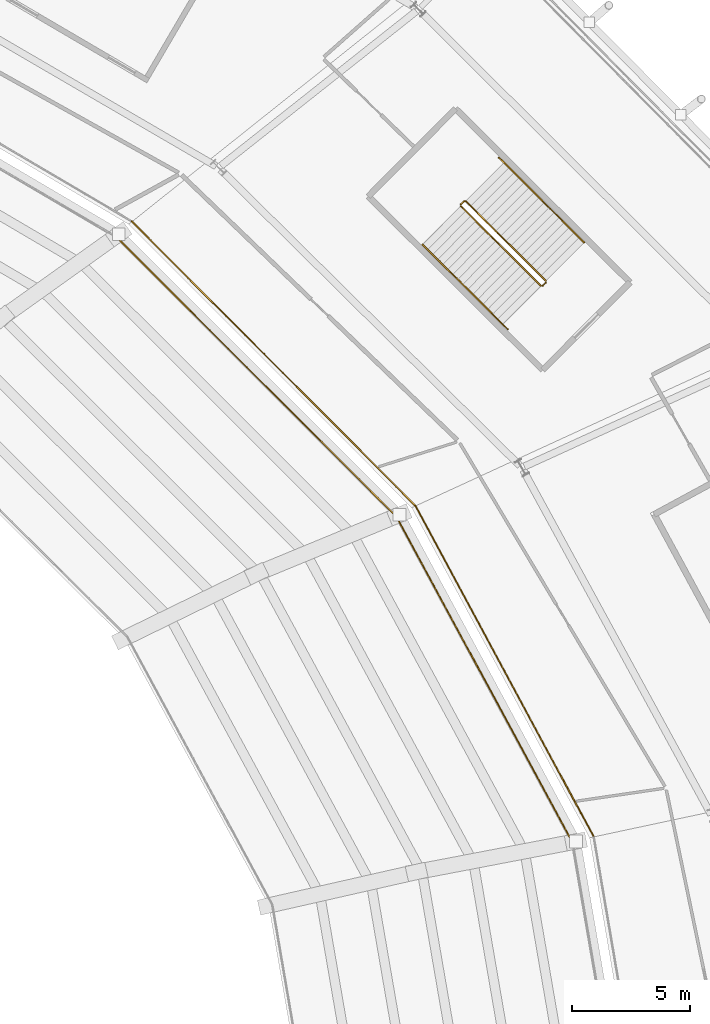
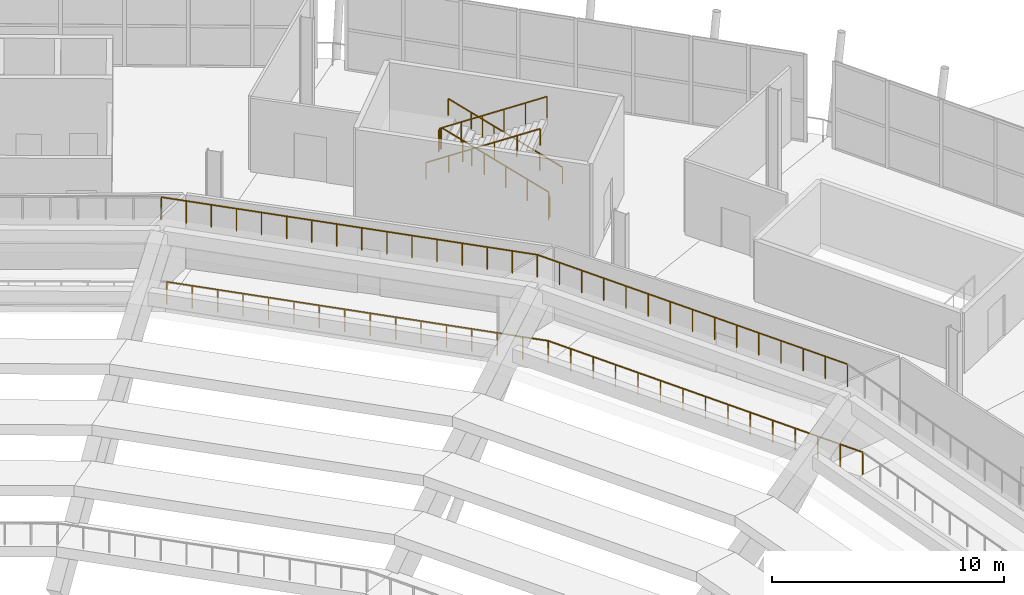
# One storey, part 121 of 126: 10 railings.
"""IFC4 building model written with IfcOpenShell, lengths in metres."""

from ifc_helpers import new_model, si_unit, direction, frame, origin, origin_2d, place, context, subcontext, project, spatial, rectangle, extrude, material, type_object, element, save


model = new_model("IFC4")

# Units and contexts
model_context = context("Model", 3, precision=1e-05, world=origin(), true_north=direction((0.0, 1.0)))
body_context = subcontext(model_context, "Body", "Model", "MODEL_VIEW")
ifc_project = project(units=[si_unit("LENGTHUNIT", "METRE"), si_unit("AREAUNIT", "SQUARE_METRE"), si_unit("VOLUMEUNIT", "CUBIC_METRE"), si_unit("PLANEANGLEUNIT", "RADIAN"), si_unit("MASSUNIT", "GRAM", prefix="KILO")], contexts=[model_context])

# Site, building, storey
site_placement = place(None, origin())
site = spatial("IfcSite", under=ifc_project, at=site_placement, CompositionType="ELEMENT")
building_placement = place(site_placement, origin())
building = spatial("IfcBuilding", under=site, at=building_placement, Name="Zlatoyarsky Gate Stadium", CompositionType="ELEMENT")
storey_placement = place(building_placement, frame((0.0, 0.0, 20.800048828125)))
storey = spatial("IfcBuildingStorey", under=building, at=storey_placement, Name="L04", CompositionType="ELEMENT", Elevation=20.800048828125)

# Railings
ifc_material_1 = material(Name="Powder-coated steel tubular guardrail", Category="steel")
railing_type_1 = type_object("IfcRailingType", Name="CONCOURSE SLAB EDGE GUARDRAIL 1200", PredefinedType="GUARDRAIL", material=ifc_material_1)
railing_1_placement = place(storey_placement, frame((183.299560546875, 94.84326171875, 5.099853515625)))
element("IfcRailing", 1, at=railing_1_placement, inside=storey, type_object=railing_type_1, Name="Upper bowl back guardrail 01", PredefinedType="GUARDRAIL", context=body_context, shape_type="SweptSolid", body=[
    extrude(rectangle(XDim=0.048095703125, YDim=0.048095703125, at=origin_2d()), frame((0.0, 0.0, 1.17578125), z_axis=(-0.475561201038, 0.879682638266, 0.0), x_axis=(-0.879682638266, -0.475561201038, 0.0)), (0.0, 0.0, 1.0), 15.7236328125),
    extrude(rectangle(XDim=0.0419921875, YDim=0.0419921875, at=origin_2d()), origin(), (0.0, 0.0, 1.0), 1.15185546875),
    extrude(rectangle(XDim=0.0419921875, YDim=0.0419921875, at=origin_2d()), frame((-0.5341796875, 0.988037109375, 0.0)), (0.0, 0.0, 1.0), 1.15185546875),
    extrude(rectangle(XDim=0.0419921875, YDim=0.0419921875, at=origin_2d()), frame((-1.068115234375, 1.97607421875, 0.0)), (0.0, 0.0, 1.0), 1.15185546875),
    extrude(rectangle(XDim=0.0419921875, YDim=0.0419921875, at=origin_2d()), frame((-1.602294921875, 2.9638671875, 0.0)), (0.0, 0.0, 1.0), 1.15185546875),
    extrude(rectangle(XDim=0.0419921875, YDim=0.0419921875, at=origin_2d()), frame((-2.136474609375, 3.951904296875, 0.0)), (0.0, 0.0, 1.0), 1.15185546875),
    extrude(rectangle(XDim=0.0419921875, YDim=0.0419921875, at=origin_2d()), frame((-2.670654296875, 4.93994140625, 0.0)), (0.0, 0.0, 1.0), 1.15185546875),
    extrude(rectangle(XDim=0.0419921875, YDim=0.0419921875, at=origin_2d()), frame((-3.20458984375, 5.927978515625, 0.0)), (0.0, 0.0, 1.0), 1.15185546875),
    extrude(rectangle(XDim=0.0419921875, YDim=0.0419921875, at=origin_2d()), frame((-3.73876953125, 6.916015625, 0.0)), (0.0, 0.0, 1.0), 1.15185546875),
    extrude(rectangle(XDim=0.0419921875, YDim=0.0419921875, at=origin_2d()), frame((-4.27294921875, 7.90380859375, 0.0)), (0.0, 0.0, 1.0), 1.15185546875),
    extrude(rectangle(XDim=0.0419921875, YDim=0.0419921875, at=origin_2d()), frame((-4.806884765625, 8.891845703125, 0.0)), (0.0, 0.0, 1.0), 1.15185546875),
    extrude(rectangle(XDim=0.0419921875, YDim=0.0419921875, at=origin_2d()), frame((-5.341064453125, 9.8798828125, 0.0)), (0.0, 0.0, 1.0), 1.15185546875),
    extrude(rectangle(XDim=0.0419921875, YDim=0.0419921875, at=origin_2d()), frame((-5.875244140625, 10.867919921875, 0.0)), (0.0, 0.0, 1.0), 1.15185546875),
    extrude(rectangle(XDim=0.0419921875, YDim=0.0419921875, at=origin_2d()), frame((-6.409423828125, 11.855712890625, 0.0)), (0.0, 0.0, 1.0), 1.15185546875),
    extrude(rectangle(XDim=0.0419921875, YDim=0.0419921875, at=origin_2d()), frame((-6.943359375, 12.84375, 0.0)), (0.0, 0.0, 1.0), 1.15185546875),
    extrude(rectangle(XDim=0.0419921875, YDim=0.0419921875, at=origin_2d()), frame((-7.4775390625, 13.831787109375, 0.0)), (0.0, 0.0, 1.0), 1.15185546875),
])
railing_2_placement = place(storey_placement, frame((184.197998046875, 95.083984375, 0.0)))
element("IfcRailing", 2, at=railing_2_placement, inside=storey, type_object=railing_type_1, Name="L04 inner bowl edge guardrail 01", PredefinedType="GUARDRAIL", context=body_context, shape_type="SweptSolid", body=[
    extrude(rectangle(XDim=0.048095703125, YDim=0.048095703125, at=origin_2d()), frame((0.0, 0.0, 1.17578125), z_axis=(-0.474196483851, 0.880419044946, 0.0), x_axis=(-0.880419044946, -0.474196483851, 0.0)), (0.0, 0.0, 1.0), 15.965087890625),
    extrude(rectangle(XDim=0.0419921875, YDim=0.0419921875, at=origin_2d()), origin(), (0.0, 0.0, 1.0), 1.15185546875),
    extrude(rectangle(XDim=0.0419921875, YDim=0.0419921875, at=origin_2d()), frame((-0.540771484375, 1.00390625, 0.0)), (0.0, 0.0, 1.0), 1.15185546875),
    extrude(rectangle(XDim=0.0419921875, YDim=0.0419921875, at=origin_2d()), frame((-1.08154296875, 2.008056640625, 0.0)), (0.0, 0.0, 1.0), 1.15185546875),
    extrude(rectangle(XDim=0.0419921875, YDim=0.0419921875, at=origin_2d()), frame((-1.622314453125, 3.011962890625, 0.0)), (0.0, 0.0, 1.0), 1.15185546875),
    extrude(rectangle(XDim=0.0419921875, YDim=0.0419921875, at=origin_2d()), frame((-2.1630859375, 4.015869140625, 0.0)), (0.0, 0.0, 1.0), 1.15185546875),
    extrude(rectangle(XDim=0.0419921875, YDim=0.0419921875, at=origin_2d()), frame((-2.703857421875, 5.02001953125, 0.0)), (0.0, 0.0, 1.0), 1.15185546875),
    extrude(rectangle(XDim=0.0419921875, YDim=0.0419921875, at=origin_2d()), frame((-3.24462890625, 6.02392578125, 0.0)), (0.0, 0.0, 1.0), 1.15185546875),
    extrude(rectangle(XDim=0.0419921875, YDim=0.0419921875, at=origin_2d()), frame((-3.78515625, 7.02783203125, 0.0)), (0.0, 0.0, 1.0), 1.15185546875),
    extrude(rectangle(XDim=0.0419921875, YDim=0.0419921875, at=origin_2d()), frame((-4.325927734375, 8.031982421875, 0.0)), (0.0, 0.0, 1.0), 1.15185546875),
    extrude(rectangle(XDim=0.0419921875, YDim=0.0419921875, at=origin_2d()), frame((-4.86669921875, 9.035888671875, 0.0)), (0.0, 0.0, 1.0), 1.15185546875),
    extrude(rectangle(XDim=0.0419921875, YDim=0.0419921875, at=origin_2d()), frame((-5.407470703125, 10.0400390625, 0.0)), (0.0, 0.0, 1.0), 1.15185546875),
    extrude(rectangle(XDim=0.0419921875, YDim=0.0419921875, at=origin_2d()), frame((-5.9482421875, 11.0439453125, 0.0)), (0.0, 0.0, 1.0), 1.15185546875),
    extrude(rectangle(XDim=0.0419921875, YDim=0.0419921875, at=origin_2d()), frame((-6.489013671875, 12.0478515625, 0.0)), (0.0, 0.0, 1.0), 1.15185546875),
    extrude(rectangle(XDim=0.0419921875, YDim=0.0419921875, at=origin_2d()), frame((-7.02978515625, 13.052001953125, 0.0)), (0.0, 0.0, 1.0), 1.15185546875),
    extrude(rectangle(XDim=0.0419921875, YDim=0.0419921875, at=origin_2d()), frame((-7.570556640625, 14.055908203125, 0.0)), (0.0, 0.0, 1.0), 1.15185546875),
])
railing_3_placement = place(storey_placement, frame((175.822021484375, 108.675048828125, 5.099853515625)))
element("IfcRailing", 3, at=railing_3_placement, inside=storey, type_object=railing_type_1, Name="Upper bowl back guardrail 02", PredefinedType="GUARDRAIL", context=body_context, shape_type="SweptSolid", body=[
    extrude(rectangle(XDim=0.048095703125, YDim=0.048095703125, at=origin_2d()), frame((0.0, 0.0, 1.17578125), z_axis=(-0.707629445314, 0.706583730441, 0.0), x_axis=(-0.706583730441, -0.707629445314, 0.0)), (0.0, 0.0, 1.0), 16.8095703125),
    extrude(rectangle(XDim=0.0419921875, YDim=0.0419921875, at=origin_2d()), origin(), (0.0, 0.0, 1.0), 1.15185546875),
    extrude(rectangle(XDim=0.0419921875, YDim=0.0419921875, at=origin_2d()), frame((-0.79296875, 0.791748046875, 0.0)), (0.0, 0.0, 1.0), 1.15185546875),
    extrude(rectangle(XDim=0.0419921875, YDim=0.0419921875, at=origin_2d()), frame((-1.5859375, 1.583740234375, 0.0)), (0.0, 0.0, 1.0), 1.15185546875),
    extrude(rectangle(XDim=0.0419921875, YDim=0.0419921875, at=origin_2d()), frame((-2.37890625, 2.37548828125, 0.0)), (0.0, 0.0, 1.0), 1.15185546875),
    extrude(rectangle(XDim=0.0419921875, YDim=0.0419921875, at=origin_2d()), frame((-3.172119140625, 3.167236328125, 0.0)), (0.0, 0.0, 1.0), 1.15185546875),
    extrude(rectangle(XDim=0.0419921875, YDim=0.0419921875, at=origin_2d()), frame((-3.965087890625, 3.959228515625, 0.0)), (0.0, 0.0, 1.0), 1.15185546875),
    extrude(rectangle(XDim=0.0419921875, YDim=0.0419921875, at=origin_2d()), frame((-4.758056640625, 4.7509765625, 0.0)), (0.0, 0.0, 1.0), 1.15185546875),
    extrude(rectangle(XDim=0.0419921875, YDim=0.0419921875, at=origin_2d()), frame((-5.551025390625, 5.542724609375, 0.0)), (0.0, 0.0, 1.0), 1.15185546875),
    extrude(rectangle(XDim=0.0419921875, YDim=0.0419921875, at=origin_2d()), frame((-6.343994140625, 6.334716796875, 0.0)), (0.0, 0.0, 1.0), 1.15185546875),
    extrude(rectangle(XDim=0.0419921875, YDim=0.0419921875, at=origin_2d()), frame((-7.136962890625, 7.12646484375, 0.0)), (0.0, 0.0, 1.0), 1.15185546875),
    extrude(rectangle(XDim=0.0419921875, YDim=0.0419921875, at=origin_2d()), frame((-7.929931640625, 7.918212890625, 0.0)), (0.0, 0.0, 1.0), 1.15185546875),
    extrude(rectangle(XDim=0.0419921875, YDim=0.0419921875, at=origin_2d()), frame((-8.722900390625, 8.710205078125, 0.0)), (0.0, 0.0, 1.0), 1.15185546875),
    extrude(rectangle(XDim=0.0419921875, YDim=0.0419921875, at=origin_2d()), frame((-9.51611328125, 9.501953125, 0.0)), (0.0, 0.0, 1.0), 1.15185546875),
    extrude(rectangle(XDim=0.0419921875, YDim=0.0419921875, at=origin_2d()), frame((-10.30908203125, 10.293701171875, 0.0)), (0.0, 0.0, 1.0), 1.15185546875),
    extrude(rectangle(XDim=0.0419921875, YDim=0.0419921875, at=origin_2d()), frame((-11.10205078125, 11.085693359375, 0.0)), (0.0, 0.0, 1.0), 1.15185546875),
    extrude(rectangle(XDim=0.0419921875, YDim=0.0419921875, at=origin_2d()), frame((-11.89501953125, 11.87744140625, 0.0)), (0.0, 0.0, 1.0), 1.15185546875),
])
railing_4_placement = place(storey_placement, frame((176.62744140625, 109.139892578125, 0.0)))
element("IfcRailing", 4, at=railing_4_placement, inside=storey, type_object=railing_type_1, Name="L04 inner bowl edge guardrail 02", PredefinedType="GUARDRAIL", context=body_context, shape_type="SweptSolid", body=[
    extrude(rectangle(XDim=0.048095703125, YDim=0.048095703125, at=origin_2d()), frame((0.0, 0.0, 1.17578125), z_axis=(-0.706297313219, 0.707915323566, 0.0), x_axis=(-0.707915323566, -0.706297313219, 0.0)), (0.0, 0.0, 1.0), 17.050537109375),
    extrude(rectangle(XDim=0.0419921875, YDim=0.0419921875, at=origin_2d()), origin(), (0.0, 0.0, 1.0), 1.15185546875),
    extrude(rectangle(XDim=0.0419921875, YDim=0.0419921875, at=origin_2d()), frame((-0.802734375, 0.8046875, 0.0)), (0.0, 0.0, 1.0), 1.15185546875),
    extrude(rectangle(XDim=0.0419921875, YDim=0.0419921875, at=origin_2d()), frame((-1.605712890625, 1.609375, 0.0)), (0.0, 0.0, 1.0), 1.15185546875),
    extrude(rectangle(XDim=0.0419921875, YDim=0.0419921875, at=origin_2d()), frame((-2.408447265625, 2.4140625, 0.0)), (0.0, 0.0, 1.0), 1.15185546875),
    extrude(rectangle(XDim=0.0419921875, YDim=0.0419921875, at=origin_2d()), frame((-3.21142578125, 3.21875, 0.0)), (0.0, 0.0, 1.0), 1.15185546875),
    extrude(rectangle(XDim=0.0419921875, YDim=0.0419921875, at=origin_2d()), frame((-4.01416015625, 4.0234375, 0.0)), (0.0, 0.0, 1.0), 1.15185546875),
    extrude(rectangle(XDim=0.0419921875, YDim=0.0419921875, at=origin_2d()), frame((-4.817138671875, 4.828125, 0.0)), (0.0, 0.0, 1.0), 1.15185546875),
    extrude(rectangle(XDim=0.0419921875, YDim=0.0419921875, at=origin_2d()), frame((-5.619873046875, 5.6328125, 0.0)), (0.0, 0.0, 1.0), 1.15185546875),
    extrude(rectangle(XDim=0.0419921875, YDim=0.0419921875, at=origin_2d()), frame((-6.4228515625, 6.4375, 0.0)), (0.0, 0.0, 1.0), 1.15185546875),
    extrude(rectangle(XDim=0.0419921875, YDim=0.0419921875, at=origin_2d()), frame((-7.2255859375, 7.2421875, 0.0)), (0.0, 0.0, 1.0), 1.15185546875),
    extrude(rectangle(XDim=0.0419921875, YDim=0.0419921875, at=origin_2d()), frame((-8.028564453125, 8.046875, 0.0)), (0.0, 0.0, 1.0), 1.15185546875),
    extrude(rectangle(XDim=0.0419921875, YDim=0.0419921875, at=origin_2d()), frame((-8.831298828125, 8.8515625, 0.0)), (0.0, 0.0, 1.0), 1.15185546875),
    extrude(rectangle(XDim=0.0419921875, YDim=0.0419921875, at=origin_2d()), frame((-9.63427734375, 9.65625, 0.0)), (0.0, 0.0, 1.0), 1.15185546875),
    extrude(rectangle(XDim=0.0419921875, YDim=0.0419921875, at=origin_2d()), frame((-10.43701171875, 10.4609375, 0.0)), (0.0, 0.0, 1.0), 1.15185546875),
    extrude(rectangle(XDim=0.0419921875, YDim=0.0419921875, at=origin_2d()), frame((-11.239990234375, 11.265625, 0.0)), (0.0, 0.0, 1.0), 1.15185546875),
    extrude(rectangle(XDim=0.0419921875, YDim=0.0419921875, at=origin_2d()), frame((-12.042724609375, 12.0703125, 0.0)), (0.0, 0.0, 1.0), 1.15185546875),
])
ifc_material_2 = material(Name="Powder-coated steel stair guardrail", Category="steel")
railing_type_2 = type_object("IfcRailingType", Name="PAINTED STEEL STAIR WELL GUARDRAIL 1150", PredefinedType="GUARDRAIL", material=ifc_material_2)
railing_5_placement = place(storey_placement, frame((182.170654296875, 118.681396484375, 0.15869140625)))
element("IfcRailing", 5, at=railing_5_placement, inside=storey, type_object=railing_type_2, Name="ST-02 L04 stair guard 1", PredefinedType="GUARDRAIL", context=body_context, shape_type="SweptSolid", body=[
    extrude(rectangle(XDim=0.048095703125, YDim=0.048095703125, at=origin_2d()), frame((0.0, 0.0, 1.1259765625), z_axis=(-0.626496914872, 0.623350270397, 0.467906033357), x_axis=(-0.705324317314, -0.708884763136, 0.0)), (0.0, 0.0, 1.0), 5.43115234375),
    extrude(rectangle(XDim=0.0419921875, YDim=0.0419921875, at=origin_2d()), origin(), (0.0, 0.0, 1.0), 1.101806640625),
    extrude(rectangle(XDim=0.0419921875, YDim=0.0419921875, at=origin_2d()), frame((-0.680419921875, 0.677001953125, 0.50830078125)), (0.0, 0.0, 1.0), 1.101806640625),
    extrude(rectangle(XDim=0.0419921875, YDim=0.0419921875, at=origin_2d()), frame((-1.361083984375, 1.354248046875, 1.0166015625)), (0.0, 0.0, 1.0), 1.101806640625),
    extrude(rectangle(XDim=0.0419921875, YDim=0.0419921875, at=origin_2d()), frame((-2.04150390625, 2.03125, 1.524658203125)), (0.0, 0.0, 1.0), 1.101806640625),
    extrude(rectangle(XDim=0.0419921875, YDim=0.0419921875, at=origin_2d()), frame((-2.72216796875, 2.70849609375, 2.032958984375)), (0.0, 0.0, 1.0), 1.101806640625),
    extrude(rectangle(XDim=0.0419921875, YDim=0.0419921875, at=origin_2d()), frame((-3.402587890625, 3.385498046875, 2.541259765625)), (0.0, 0.0, 1.0), 1.101806640625),
])
railing_6_placement = place(storey_placement, frame((178.697265625, 122.066650390625, 2.699951171875)))
element("IfcRailing", 6, at=railing_6_placement, inside=storey, type_object=railing_type_2, Name="ST-02 L04 stair guard 2", PredefinedType="GUARDRAIL", context=body_context, shape_type="SweptSolid", body=[
    extrude(rectangle(XDim=0.048095703125, YDim=0.048095703125, at=origin_2d()), frame((0.0, 0.0, 1.1259765625), z_axis=(-0.705274116237, -0.708934708536, 0.0), x_axis=(0.708934708536, -0.705274116237, 0.0)), (0.0, 0.0, 1.0), 0.2001953125),
    extrude(rectangle(XDim=0.0419921875, YDim=0.0419921875, at=origin_2d()), origin(), (0.0, 0.0, 1.0), 1.101806640625),
    extrude(rectangle(XDim=0.0419921875, YDim=0.0419921875, at=origin_2d()), frame((-0.14111328125, -0.141845703125, 0.0)), (0.0, 0.0, 1.0), 1.101806640625),
])
railing_7_placement = place(storey_placement, frame((178.556396484375, 121.854248046875, 2.85888671875)))
element("IfcRailing", 7, at=railing_7_placement, inside=storey, type_object=railing_type_2, Name="ST-02 L04 stair guard 3", PredefinedType="GUARDRAIL", context=body_context, shape_type="SweptSolid", body=[
    extrude(rectangle(XDim=0.048095703125, YDim=0.048095703125, at=origin_2d()), frame((0.0, 0.0, 1.1259765625), z_axis=(0.626537399108, -0.623345825329, 0.467857745008), x_axis=(0.705298886343, 0.708910065469, 0.0)), (0.0, 0.0, 1.0), 5.43115234375),
    extrude(rectangle(XDim=0.0419921875, YDim=0.0419921875, at=origin_2d()), origin(), (0.0, 0.0, 1.0), 1.101806640625),
    extrude(rectangle(XDim=0.0419921875, YDim=0.0419921875, at=origin_2d()), frame((0.6806640625, -0.677001953125, 0.50830078125)), (0.0, 0.0, 1.0), 1.101806640625),
    extrude(rectangle(XDim=0.0419921875, YDim=0.0419921875, at=origin_2d()), frame((1.361083984375, -1.354248046875, 1.016357421875)), (0.0, 0.0, 1.0), 1.101806640625),
    extrude(rectangle(XDim=0.0419921875, YDim=0.0419921875, at=origin_2d()), frame((2.041748046875, -2.03125, 1.524658203125)), (0.0, 0.0, 1.0), 1.101806640625),
    extrude(rectangle(XDim=0.0419921875, YDim=0.0419921875, at=origin_2d()), frame((2.72216796875, -2.70849609375, 2.03271484375)), (0.0, 0.0, 1.0), 1.101806640625),
    extrude(rectangle(XDim=0.0419921875, YDim=0.0419921875, at=origin_2d()), frame((3.40283203125, -3.385498046875, 2.541015625)), (0.0, 0.0, 1.0), 1.101806640625),
])
railing_8_placement = place(storey_placement, frame((182.1708984375, 118.610595703125, 0.0)))
element("IfcRailing", 8, at=railing_8_placement, inside=storey, type_object=railing_type_2, Name="ST-02 L04 stair guard 4", PredefinedType="GUARDRAIL", context=body_context, shape_type="SweptSolid", body=[
    extrude(rectangle(XDim=0.048095703125, YDim=0.048095703125, at=origin_2d()), frame((0.0, 0.0, 1.1259765625), z_axis=(-0.705884473151, -0.708326979978, 0.0), x_axis=(0.708326979978, -0.705884473151, 0.0)), (0.0, 0.0, 1.0), 0.199951171875),
    extrude(rectangle(XDim=0.0419921875, YDim=0.0419921875, at=origin_2d()), origin(), (0.0, 0.0, 1.0), 1.101806640625),
    extrude(rectangle(XDim=0.0419921875, YDim=0.0419921875, at=origin_2d()), frame((-0.14111328125, -0.1416015625, 0.0)), (0.0, 0.0, 1.0), 1.101806640625),
])
ifc_material_3 = material(Name="Brushed stainless steel 316 handrail", Category="steel")
railing_type_3 = type_object("IfcRailingType", Name="STAINLESS STEEL TUBULAR HANDRAIL 900", PredefinedType="HANDRAIL", material=ifc_material_3)
railing_9_placement = place(storey_placement, frame((183.79296875, 120.311767578125, 0.162841796875)))
element("IfcRailing", 9, at=railing_9_placement, inside=storey, type_object=railing_type_3, Name="ST-02 L04 stair handrail 1", PredefinedType="HANDRAIL", context=body_context, shape_type="SweptSolid", body=[
    extrude(rectangle(XDim=0.048095703125, YDim=0.048095703125, at=origin_2d()), frame((0.0, 0.0, 0.8759765625), z_axis=(-0.626522822418, 0.62334980522, 0.467871962531), x_axis=(-0.705309395881, -0.708899609312, 0.0)), (0.0, 0.0, 1.0), 5.770751953125),
    extrude(rectangle(XDim=0.0419921875, YDim=0.0419921875, at=origin_2d()), origin(), (0.0, 0.0, 1.0), 0.851806640625),
    extrude(rectangle(XDim=0.0419921875, YDim=0.0419921875, at=origin_2d()), frame((-0.72314453125, 0.719482421875, 0.5400390625)), (0.0, 0.0, 1.0), 0.851806640625),
    extrude(rectangle(XDim=0.0419921875, YDim=0.0419921875, at=origin_2d()), frame((-1.4462890625, 1.43896484375, 1.080078125)), (0.0, 0.0, 1.0), 0.851806640625),
    extrude(rectangle(XDim=0.0419921875, YDim=0.0419921875, at=origin_2d()), frame((-2.169189453125, 2.158203125, 1.619873046875)), (0.0, 0.0, 1.0), 0.851806640625),
    extrude(rectangle(XDim=0.0419921875, YDim=0.0419921875, at=origin_2d()), frame((-2.892333984375, 2.877685546875, 2.159912109375)), (0.0, 0.0, 1.0), 0.851806640625),
    extrude(rectangle(XDim=0.0419921875, YDim=0.0419921875, at=origin_2d()), frame((-3.615478515625, 3.59716796875, 2.699951171875)), (0.0, 0.0, 1.0), 0.851806640625),
])
railing_10_placement = place(storey_placement, frame((176.93408203125, 120.2236328125, 2.86279296875)))
element("IfcRailing", 10, at=railing_10_placement, inside=storey, type_object=railing_type_3, Name="ST-02 L04 stair handrail 2", PredefinedType="HANDRAIL", context=body_context, shape_type="SweptSolid", body=[
    extrude(rectangle(XDim=0.048095703125, YDim=0.048095703125, at=origin_2d()), frame((0.0, 0.0, 0.8759765625), z_axis=(0.626539345167, -0.623323936279, 0.467884301317), x_axis=(0.705285338382, 0.708923544159, 0.0)), (0.0, 0.0, 1.0), 5.7705078125),
    extrude(rectangle(XDim=0.0419921875, YDim=0.0419921875, at=origin_2d()), origin(), (0.0, 0.0, 1.0), 0.851806640625),
    extrude(rectangle(XDim=0.0419921875, YDim=0.0419921875, at=origin_2d()), frame((0.72314453125, -0.719482421875, 0.5400390625)), (0.0, 0.0, 1.0), 0.851806640625),
    extrude(rectangle(XDim=0.0419921875, YDim=0.0419921875, at=origin_2d()), frame((1.4462890625, -1.438720703125, 1.080078125)), (0.0, 0.0, 1.0), 0.851806640625),
    extrude(rectangle(XDim=0.0419921875, YDim=0.0419921875, at=origin_2d()), frame((2.169189453125, -2.158203125, 1.619873046875)), (0.0, 0.0, 1.0), 0.851806640625),
    extrude(rectangle(XDim=0.0419921875, YDim=0.0419921875, at=origin_2d()), frame((2.892333984375, -2.87744140625, 2.159912109375)), (0.0, 0.0, 1.0), 0.851806640625),
    extrude(rectangle(XDim=0.0419921875, YDim=0.0419921875, at=origin_2d()), frame((3.615478515625, -3.596923828125, 2.699951171875)), (0.0, 0.0, 1.0), 0.851806640625),
])

save(model, "model.ifc")
